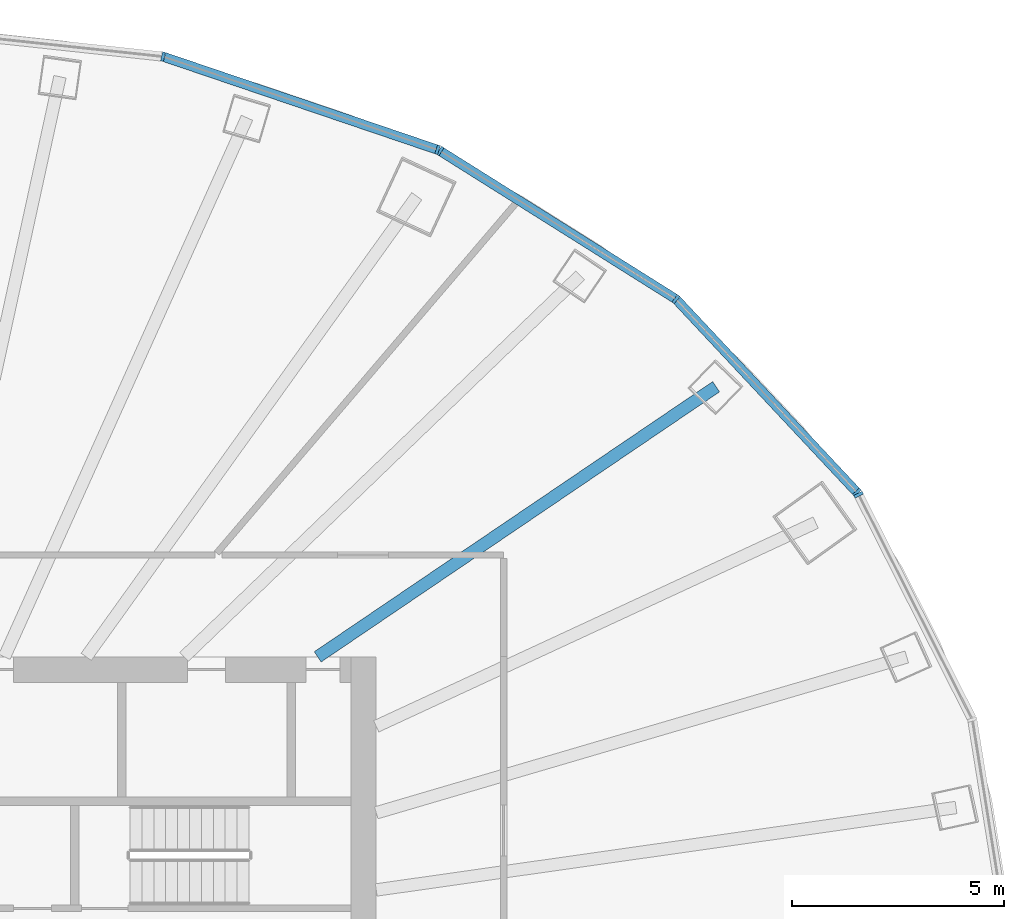
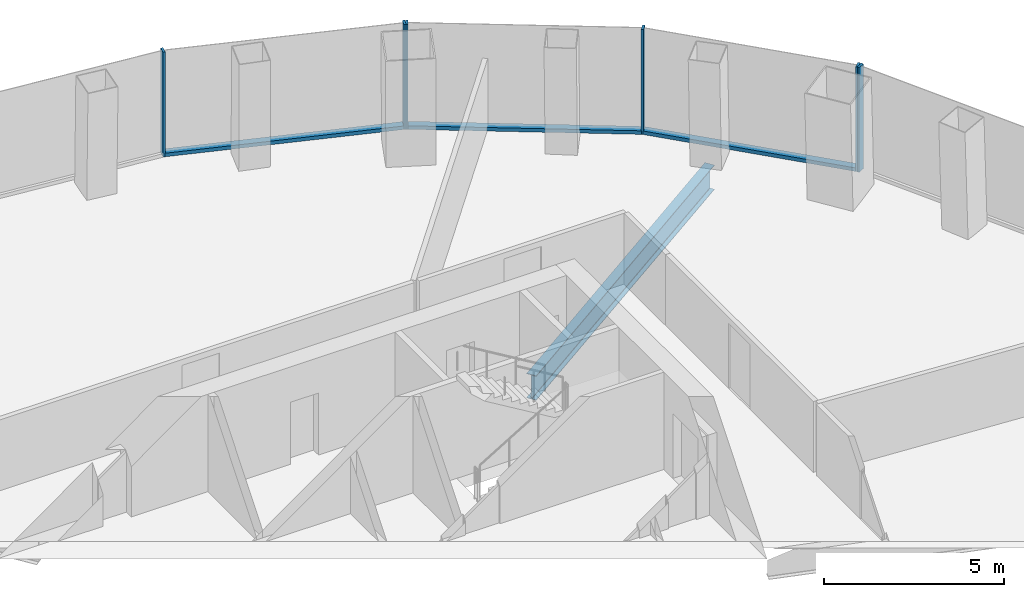
# One storey, part 6 of 11: 9 members, 1 beam, 3 elements without a shape of their own.
"""IFC4 building model written with IfcOpenShell, lengths in metres."""

from ifc_helpers import new_model, si_unit, direction, frame, origin, origin_2d, place, context, subcontext, project, spatial, rectangle, i_section, extrude, material, layer, layer_set, material_profile, profile_set, type_object, element, aggregate, save


model = new_model("IFC4")

# Units and contexts
model_context = context("Model", 3, precision=1e-05, world=origin(), true_north=direction((0.0, 1.0)))
body_context = subcontext(model_context, "Body", "Model", "MODEL_VIEW")
ifc_project = project(units=[si_unit("LENGTHUNIT", "METRE"), si_unit("AREAUNIT", "SQUARE_METRE"), si_unit("VOLUMEUNIT", "CUBIC_METRE"), si_unit("PLANEANGLEUNIT", "RADIAN"), si_unit("MASSUNIT", "GRAM", prefix="KILO")], contexts=[model_context])

# Site, building, storey
site_placement = place(None, origin())
site = spatial("IfcSite", under=ifc_project, at=site_placement, CompositionType="ELEMENT")
building_placement = place(site_placement, origin())
building = spatial("IfcBuilding", under=site, at=building_placement, Name="Siaravel Broadcast Tower", CompositionType="ELEMENT")
storey_placement = place(building_placement, frame((0.0, 0.0, 77.800048828125)))
storey = spatial("IfcBuildingStorey", under=building, at=storey_placement, Name="L18", CompositionType="ELEMENT", Elevation=77.800048828125)

# Beam
ifc_material_1 = material(Name="Steel S355", Category="steel")
ifc_material_profile_1 = material_profile(ifc_material_1, i_section(OverallWidth=0.291748046875, OverallDepth=0.8349609375, WebThickness=0.013916015625, FlangeThickness=0.018798828125, FilletRadius=0.017822265625, at=origin_2d()))
ifc_profile_set_1 = profile_set([ifc_material_profile_1], Name="Steel S355")
beam_type = type_object("IfcBeamType", Name="BM-UB 838x292x176", PredefinedType="BEAM", material=ifc_profile_set_1)
beam_placement = place(storey_placement, frame((20.009033203125, 13.564208984375, -0.567626953125), z_axis=(-0.827726799, -0.561131309, 0.0), x_axis=(0.561131309, -0.827726799, 0.0)))
element("IfcBeam", 1, at=beam_placement, inside=storey, type_object=beam_type, Name="Radial beam RB05", PredefinedType="BEAM", context=body_context, shape_type="SweptSolid", body=[
    extrude(i_section(OverallWidth=0.291748046875, OverallDepth=0.8349609375, WebThickness=0.013916015625, FlangeThickness=0.018798828125, FilletRadius=0.017822265625, at=origin_2d()), origin(), (0.0, 0.0, 1.0), 11.341796875),
])

# Curtain wall, member
ifc_material_2 = material(Name="Aluminium 6063-T6", Category="aluminium")
ifc_layer = layer(ifc_material_2, 0.219970703125)
ifc_layer_set = layer_set([ifc_layer], Name="Aluminium 6063-T6")
curtain_wall_type = type_object("IfcCurtainWallType", Name="Unitised curtain wall, zone 1", PredefinedType="NOTDEFINED", material=ifc_layer_set)
curtain_wall_1_placement = place(storey_placement, origin())
curtain_wall_1 = element("IfcCurtainWall", 2, at=curtain_wall_1_placement, inside=storey, type_object=curtain_wall_type, Name="L18 Unitised curtain wall, zone 1 01", PredefinedType="NOTDEFINED")
ifc_material_profile_2 = material_profile(ifc_material_2, rectangle(XDim=0.219970703125, YDim=0.070068359375, at=origin_2d()))
ifc_profile_set_2 = profile_set([ifc_material_profile_2], Name="Aluminium 6063-T6")
member_type_1 = type_object("IfcMemberType", Name="CW-Z1 mullion", PredefinedType="MULLION", material=ifc_profile_set_2)
member_1_placement = place(storey_placement, frame((23.364501953125, 11.020263671875, 0.0), z_axis=(0.0, 0.0, 1.0), x_axis=(-0.892392184, -0.451260668, 0.0)))
member_1 = element("IfcMember", 3, at=member_1_placement, type_object=member_type_1, Name="CW-Z1 mullion 3", PredefinedType="MULLION", context=body_context, shape_type="SweptSolid", body=[
    extrude(rectangle(XDim=0.219970703125, YDim=0.070068359375, at=origin_2d()), origin(), (0.0, 0.0, 1.0), 3.550048828125),
])
aggregate(curtain_wall_1, [member_1])

# Curtain wall, members
curtain_wall_2_placement = place(storey_placement, origin())
curtain_wall_2 = element("IfcCurtainWall", 4, at=curtain_wall_2_placement, inside=storey, type_object=curtain_wall_type, Name="L18 Unitised curtain wall, zone 1 02", PredefinedType="NOTDEFINED")
member_2_placement = place(storey_placement, frame((23.32470703125, 11.076904296875, 0.0), z_axis=(0.0, 0.0, 1.0), x_axis=(-0.729805583, -0.683654746, 0.0)))
member_2 = element("IfcMember", 5, at=member_2_placement, type_object=member_type_1, Name="CW-Z1 mullion 1", PredefinedType="MULLION", context=body_context, shape_type="SweptSolid", body=[
    extrude(rectangle(XDim=0.219970703125, YDim=0.070068359375, at=origin_2d()), origin(), (0.0, 0.0, 1.0), 3.550048828125),
])
member_3_placement = place(storey_placement, frame((19.0625, 15.627197265625, 0.0), z_axis=(0.0, 0.0, 1.0), x_axis=(-0.63621907, -0.771508454, 0.0)))
member_3 = element("IfcMember", 6, at=member_3_placement, type_object=member_type_1, Name="CW-Z1 mullion 2", PredefinedType="MULLION", context=body_context, shape_type="SweptSolid", body=[
    extrude(rectangle(XDim=0.219970703125, YDim=0.070068359375, at=origin_2d()), origin(), (0.0, 0.0, 1.0), 3.550048828125),
])
member_4_placement = place(storey_placement, frame((13.5078125, 19.118408203125, 0.0), z_axis=(0.0, 0.0, 1.0), x_axis=(-0.532149761, -0.846650242, 0.0)))
member_4 = element("IfcMember", 7, at=member_4_placement, type_object=member_type_1, Name="CW-Z1 mullion 3", PredefinedType="MULLION", context=body_context, shape_type="SweptSolid", body=[
    extrude(rectangle(XDim=0.219970703125, YDim=0.070068359375, at=origin_2d()), origin(), (0.0, 0.0, 1.0), 3.550048828125),
])

curtain_wall_3_placement = place(storey_placement, origin())
curtain_wall_3 = element("IfcCurtainWall", 8, at=curtain_wall_3_placement, inside=storey, type_object=curtain_wall_type, Name="L18 Unitised curtain wall, zone 1 03", PredefinedType="NOTDEFINED")
member_5_placement = place(storey_placement, frame((13.445068359375, 19.148193359375, 0.0), z_axis=(0.0, 0.0, 1.0), x_axis=(-0.321301105, -0.946977085, 0.0)))
member_5 = element("IfcMember", 9, at=member_5_placement, type_object=member_type_1, Name="CW-Z1 mullion 1", PredefinedType="MULLION", context=body_context, shape_type="SweptSolid", body=[
    extrude(rectangle(XDim=0.219970703125, YDim=0.070068359375, at=origin_2d()), origin(), (0.0, 0.0, 1.0), 3.550048828125),
])
member_6_placement = place(storey_placement, frame((6.9765625, 21.343017578125, 0.0), z_axis=(0.0, 0.0, 1.0), x_axis=(-0.21555841, -0.976490948, 0.0)))
member_6 = element("IfcMember", 10, at=member_6_placement, type_object=member_type_1, Name="CW-Z1 mullion 2", PredefinedType="MULLION", context=body_context, shape_type="SweptSolid", body=[
    extrude(rectangle(XDim=0.219970703125, YDim=0.070068359375, at=origin_2d()), origin(), (0.0, 0.0, 1.0), 3.550048828125),
])

# Member
ifc_material_profile_3 = material_profile(ifc_material_2, rectangle(XDim=0.219970703125, YDim=0.1201171875, at=origin_2d()))
ifc_profile_set_3 = profile_set([ifc_material_profile_3], Name="Aluminium 6063-T6")
member_type_2 = type_object("IfcMemberType", Name="CW-Z1 transom", PredefinedType="USERDEFINED", material=ifc_profile_set_3)
member_7_placement = place(storey_placement, frame((23.30078125, 11.1025390625, 0.06005859375), z_axis=(-0.683640708, 0.729818733, 0.0), x_axis=(-0.729818733, -0.683640708, 0.0)))
member_7 = element("IfcMember", 11, at=member_7_placement, type_object=member_type_2, Name="CW-Z1 transom 1", ObjectType="TRANSOM", PredefinedType="USERDEFINED", context=body_context, shape_type="SweptSolid", body=[
    extrude(rectangle(XDim=0.219970703125, YDim=0.1201171875, at=origin_2d()), origin(), (0.0, 0.0, 1.0), 6.16455078125),
])

member_8_placement = place(storey_placement, frame((19.03271484375, 15.645751953125, 0.06005859375), z_axis=(-0.846662211, 0.532130717, 0.0), x_axis=(-0.532130717, -0.846662211, 0.0)))
member_8 = element("IfcMember", 12, at=member_8_placement, type_object=member_type_2, Name="CW-Z1 transom 2", ObjectType="TRANSOM", PredefinedType="USERDEFINED", context=body_context, shape_type="SweptSolid", body=[
    extrude(rectangle(XDim=0.219970703125, YDim=0.1201171875, at=origin_2d()), origin(), (0.0, 0.0, 1.0), 6.49072265625),
])

aggregate(curtain_wall_2, [member_2, member_3, member_4, member_7, member_8])

member_9_placement = place(storey_placement, frame((13.411865234375, 19.159423828125, 0.06005859375), z_axis=(-0.946972422, 0.321314849, 0.0), x_axis=(-0.321314849, -0.946972422, 0.0)))
member_9 = element("IfcMember", 13, at=member_9_placement, type_object=member_type_2, Name="CW-Z1 transom 1", ObjectType="TRANSOM", PredefinedType="USERDEFINED", context=body_context, shape_type="SweptSolid", body=[
    extrude(rectangle(XDim=0.219970703125, YDim=0.1201171875, at=origin_2d()), origin(), (0.0, 0.0, 1.0), 6.7607421875),
])

aggregate(curtain_wall_3, [member_5, member_6, member_9])

save(model, "model.ifc")
